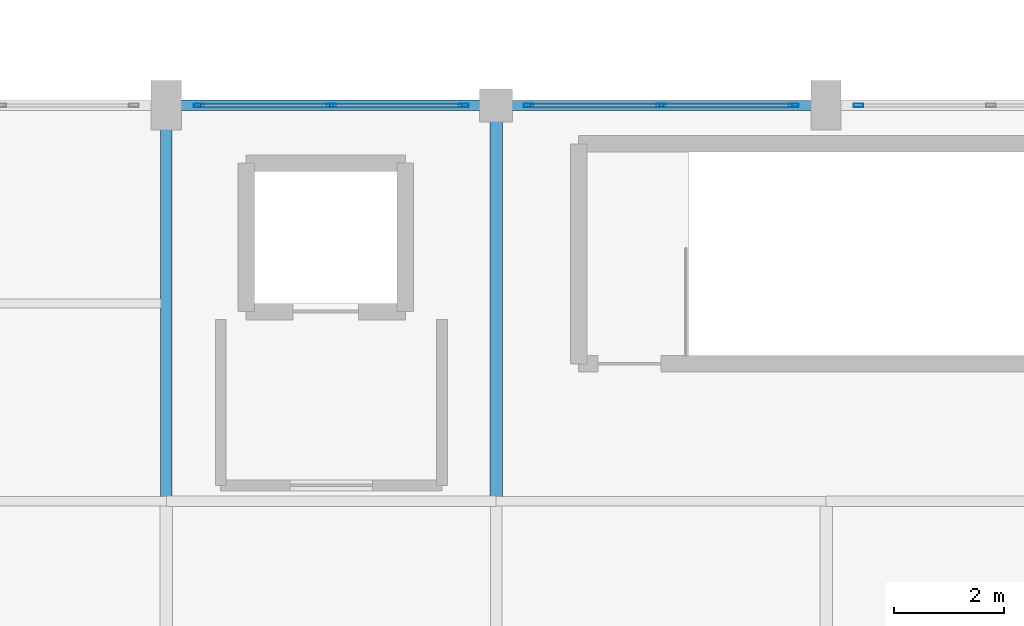
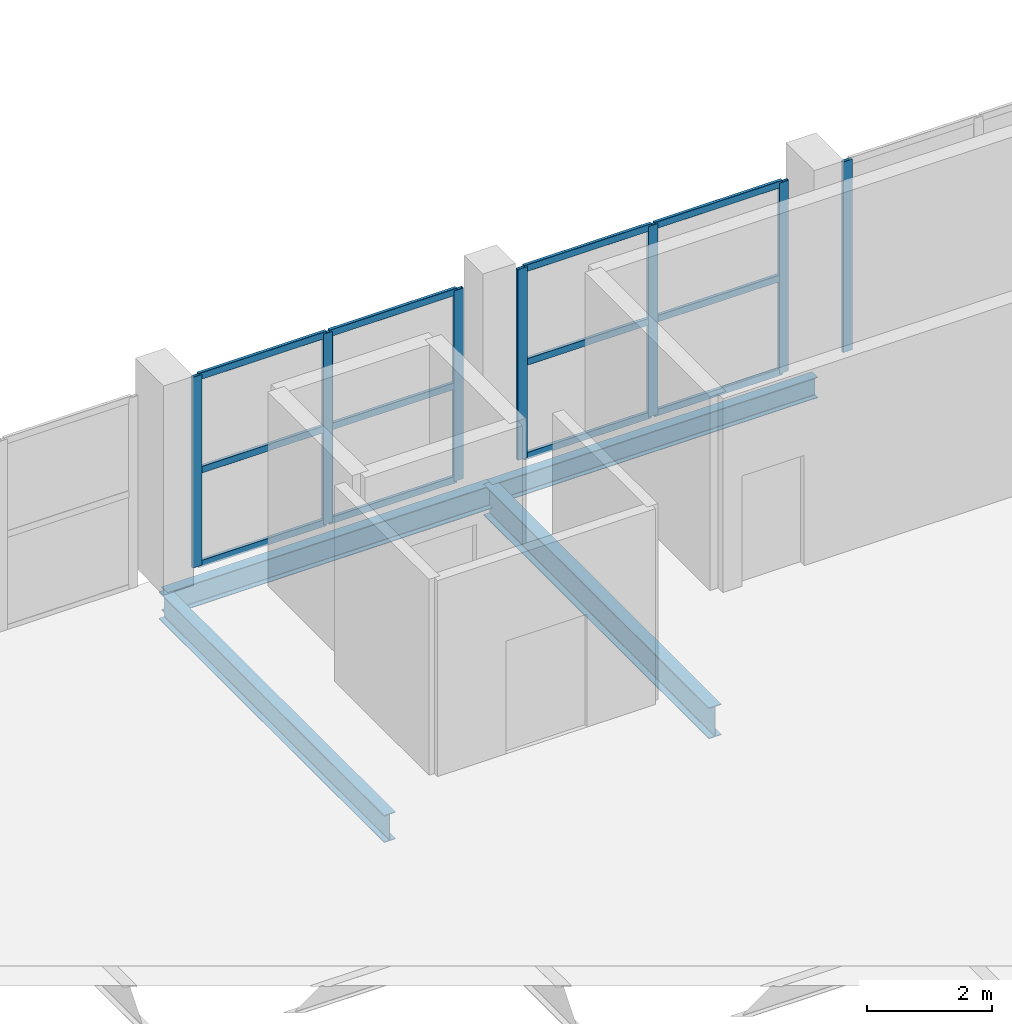
# One storey, part 84 of 127: 19 members, 4 beams, 3 elements without a shape of their own.
"""IFC4 building model written with IfcOpenShell, lengths in metres."""

from ifc_helpers import new_model, si_unit, direction, frame, origin, origin_2d, place, context, subcontext, project, spatial, hollow_rectangle, i_section, extrude, material, layer, layer_set, material_profile, profile_set, type_object, element, aggregate, save


model = new_model("IFC4")

# Units and contexts
model_context = context("Model", 3, precision=1e-05, world=origin(), true_north=direction((0.0, 1.0)))
body_context = subcontext(model_context, "Body", "Model", "MODEL_VIEW")
ifc_project = project(units=[si_unit("LENGTHUNIT", "METRE"), si_unit("AREAUNIT", "SQUARE_METRE"), si_unit("VOLUMEUNIT", "CUBIC_METRE"), si_unit("PLANEANGLEUNIT", "RADIAN"), si_unit("MASSUNIT", "GRAM", prefix="KILO")], contexts=[model_context])

# Site, building, storey
site_placement = place(None, origin())
site = spatial("IfcSite", under=ifc_project, at=site_placement, CompositionType="ELEMENT")
building_placement = place(site_placement, origin())
building = spatial("IfcBuilding", under=site, at=building_placement, Name="Dunvalen Ferry Terminal", CompositionType="ELEMENT")
storey_placement = place(building_placement, frame((0.0, 0.0, 5.760009765625)))
storey = spatial("IfcBuildingStorey", under=building, at=storey_placement, Name="L01", CompositionType="ELEMENT", Elevation=5.760009765625)

# Curtain wall, members
ifc_material_1 = material(Name="Anodised marine aluminium and solar-control glazing", Category="aluminium")
ifc_layer = layer(ifc_material_1, 0.219970703125, Name="Anodised marine aluminium and solar-control glazing")
ifc_layer_set = layer_set([ifc_layer], Name="Anodised marine aluminium and solar-control glazing")
curtain_wall_type = type_object("IfcCurtainWallType", Name="ENV-CW-SYS-02", PredefinedType="NOTDEFINED", material=ifc_layer_set)
curtain_wall_1_placement = place(storey_placement, origin())
curtain_wall_1 = element("IfcCurtainWall", 1, at=curtain_wall_1_placement, inside=storey, type_object=curtain_wall_type, Name="L01 Curtain Wall CW-V2N-L01-07", PredefinedType="NOTDEFINED")
ifc_material_2 = material(Name="Anodised marine aluminium EN AW-6063 T6", Category="aluminium")
ifc_material_profile_1 = material_profile(ifc_material_2, hollow_rectangle(XDim=0.06005859375, YDim=0.179931640625, WallThickness=0.00341796875, InnerFilletRadius=0.00341796875, OuterFilletRadius=0.007080078125, at=origin_2d()), Name="Anodised marine aluminium EN AW-6063 T6")
ifc_profile_set_1 = profile_set([ifc_material_profile_1], Name="Anodised marine aluminium EN AW-6063 T6")
member_type_1 = type_object("IfcMemberType", Name="ENV-CW-MUL-2", PredefinedType="MULLION", material=ifc_profile_set_1)
member_1_placement = place(storey_placement, frame((144.590087890625, 86.39990234375, 0.0), z_axis=(0.0, 0.0, 1.0), x_axis=(0.0, 1.0, 0.0)))
member_1 = element("IfcMember", 2, at=member_1_placement, type_object=member_type_1, Name="CW-02 mullion 1", PredefinedType="MULLION", context=body_context, shape_type="SweptSolid", body=[
    extrude(hollow_rectangle(XDim=0.06005859375, YDim=0.179931640625, WallThickness=0.00341796875, InnerFilletRadius=0.00341796875, OuterFilletRadius=0.007080078125, at=origin_2d()), origin(), (0.0, 0.0, 1.0), 3.719970703125),
])
member_2_placement = place(storey_placement, frame((147.0, 86.39990234375, 0.0), z_axis=(0.0, 0.0, 1.0), x_axis=(0.0, 1.0, 0.0)))
member_2 = element("IfcMember", 3, at=member_2_placement, type_object=member_type_1, Name="CW-02 mullion 2", PredefinedType="MULLION", context=body_context, shape_type="SweptSolid", body=[
    extrude(hollow_rectangle(XDim=0.06005859375, YDim=0.179931640625, WallThickness=0.00341796875, InnerFilletRadius=0.00341796875, OuterFilletRadius=0.007080078125, at=origin_2d()), origin(), (0.0, 0.0, 1.0), 3.719970703125),
])
member_3_placement = place(storey_placement, frame((149.409912109375, 86.39990234375, 0.0), z_axis=(0.0, 0.0, 1.0), x_axis=(0.0, 1.0, 0.0)))
member_3 = element("IfcMember", 4, at=member_3_placement, type_object=member_type_1, Name="CW-02 mullion 3", PredefinedType="MULLION", context=body_context, shape_type="SweptSolid", body=[
    extrude(hollow_rectangle(XDim=0.06005859375, YDim=0.179931640625, WallThickness=0.00341796875, InnerFilletRadius=0.00341796875, OuterFilletRadius=0.007080078125, at=origin_2d()), origin(), (0.0, 0.0, 1.0), 3.719970703125),
])

curtain_wall_2_placement = place(storey_placement, origin())
curtain_wall_2 = element("IfcCurtainWall", 5, at=curtain_wall_2_placement, inside=storey, type_object=curtain_wall_type, Name="L01 Curtain Wall CW-V2N-L01-08", PredefinedType="NOTDEFINED")
member_4_placement = place(storey_placement, frame((150.590087890625, 86.39990234375, 0.0), z_axis=(0.0, 0.0, 1.0), x_axis=(0.0, 1.0, 0.0)))
member_4 = element("IfcMember", 6, at=member_4_placement, type_object=member_type_1, Name="CW-02 mullion 1", PredefinedType="MULLION", context=body_context, shape_type="SweptSolid", body=[
    extrude(hollow_rectangle(XDim=0.06005859375, YDim=0.179931640625, WallThickness=0.00341796875, InnerFilletRadius=0.00341796875, OuterFilletRadius=0.007080078125, at=origin_2d()), origin(), (0.0, 0.0, 1.0), 3.719970703125),
])
member_5_placement = place(storey_placement, frame((153.0, 86.39990234375, 0.0), z_axis=(0.0, 0.0, 1.0), x_axis=(0.0, 1.0, 0.0)))
member_5 = element("IfcMember", 7, at=member_5_placement, type_object=member_type_1, Name="CW-02 mullion 2", PredefinedType="MULLION", context=body_context, shape_type="SweptSolid", body=[
    extrude(hollow_rectangle(XDim=0.06005859375, YDim=0.179931640625, WallThickness=0.00341796875, InnerFilletRadius=0.00341796875, OuterFilletRadius=0.007080078125, at=origin_2d()), origin(), (0.0, 0.0, 1.0), 3.719970703125),
])
member_6_placement = place(storey_placement, frame((155.409912109375, 86.39990234375, 0.0), z_axis=(0.0, 0.0, 1.0), x_axis=(0.0, 1.0, 0.0)))
member_6 = element("IfcMember", 8, at=member_6_placement, type_object=member_type_1, Name="CW-02 mullion 3", PredefinedType="MULLION", context=body_context, shape_type="SweptSolid", body=[
    extrude(hollow_rectangle(XDim=0.06005859375, YDim=0.179931640625, WallThickness=0.00341796875, InnerFilletRadius=0.00341796875, OuterFilletRadius=0.007080078125, at=origin_2d()), origin(), (0.0, 0.0, 1.0), 3.719970703125),
])

# Curtain wall, member
curtain_wall_3_placement = place(storey_placement, origin())
curtain_wall_3 = element("IfcCurtainWall", 9, at=curtain_wall_3_placement, inside=storey, type_object=curtain_wall_type, Name="L01 Curtain Wall CW-V2N-L01-09", PredefinedType="NOTDEFINED")
member_7_placement = place(storey_placement, frame((156.590087890625, 86.39990234375, 0.0), z_axis=(0.0, 0.0, 1.0), x_axis=(0.0, 1.0, 0.0)))
member_7 = element("IfcMember", 10, at=member_7_placement, type_object=member_type_1, Name="CW-02 mullion 1", PredefinedType="MULLION", context=body_context, shape_type="SweptSolid", body=[
    extrude(hollow_rectangle(XDim=0.06005859375, YDim=0.179931640625, WallThickness=0.00341796875, InnerFilletRadius=0.00341796875, OuterFilletRadius=0.007080078125, at=origin_2d()), origin(), (0.0, 0.0, 1.0), 3.719970703125),
])
aggregate(curtain_wall_3, [member_7])

# Member
ifc_material_profile_2 = material_profile(ifc_material_2, hollow_rectangle(XDim=0.06005859375, YDim=0.135009765625, WallThickness=0.003173828125, InnerFilletRadius=0.003173828125, OuterFilletRadius=0.00634765625, at=origin_2d()), Name="Anodised marine aluminium EN AW-6063 T6")
ifc_profile_set_2 = profile_set([ifc_material_profile_2], Name="Anodised marine aluminium EN AW-6063 T6")
member_type_2 = type_object("IfcMemberType", Name="ENV-CW-TRN-2", PredefinedType="USERDEFINED", material=ifc_profile_set_2)
member_8_placement = place(storey_placement, frame((144.6201171875, 86.39990234375, 0.030029296875), z_axis=(1.0, 0.0, 0.0), x_axis=(0.0, 1.0, 0.0)))
member_8 = element("IfcMember", 11, at=member_8_placement, type_object=member_type_2, Name="CW-02 transom 1.1", ObjectType="TRANSOM", PredefinedType="USERDEFINED", context=body_context, shape_type="SweptSolid", body=[
    extrude(hollow_rectangle(XDim=0.06005859375, YDim=0.135009765625, WallThickness=0.003173828125, InnerFilletRadius=0.003173828125, OuterFilletRadius=0.00634765625, at=origin_2d()), origin(), (0.0, 0.0, 1.0), 2.349853515625),
])

member_9_placement = place(storey_placement, frame((144.6201171875, 86.39990234375, 1.860107421875), z_axis=(1.0, 0.0, 0.0), x_axis=(0.0, 1.0, 0.0)))
member_9 = element("IfcMember", 12, at=member_9_placement, type_object=member_type_2, Name="CW-02 transom 1.2", ObjectType="TRANSOM", PredefinedType="USERDEFINED", context=body_context, shape_type="SweptSolid", body=[
    extrude(hollow_rectangle(XDim=0.06005859375, YDim=0.135009765625, WallThickness=0.003173828125, InnerFilletRadius=0.003173828125, OuterFilletRadius=0.00634765625, at=origin_2d()), origin(), (0.0, 0.0, 1.0), 2.349853515625),
])

member_10_placement = place(storey_placement, frame((144.6201171875, 86.39990234375, 3.68994140625), z_axis=(1.0, 0.0, 0.0), x_axis=(0.0, 1.0, 0.0)))
member_10 = element("IfcMember", 13, at=member_10_placement, type_object=member_type_2, Name="CW-02 transom 1.3", ObjectType="TRANSOM", PredefinedType="USERDEFINED", context=body_context, shape_type="SweptSolid", body=[
    extrude(hollow_rectangle(XDim=0.06005859375, YDim=0.135009765625, WallThickness=0.003173828125, InnerFilletRadius=0.003173828125, OuterFilletRadius=0.00634765625, at=origin_2d()), origin(), (0.0, 0.0, 1.0), 2.349853515625),
])

member_11_placement = place(storey_placement, frame((147.030029296875, 86.39990234375, 0.030029296875), z_axis=(1.0, 0.0, 0.0), x_axis=(0.0, 1.0, 0.0)))
member_11 = element("IfcMember", 14, at=member_11_placement, type_object=member_type_2, Name="CW-02 transom 2.1", ObjectType="TRANSOM", PredefinedType="USERDEFINED", context=body_context, shape_type="SweptSolid", body=[
    extrude(hollow_rectangle(XDim=0.06005859375, YDim=0.135009765625, WallThickness=0.003173828125, InnerFilletRadius=0.003173828125, OuterFilletRadius=0.00634765625, at=origin_2d()), origin(), (0.0, 0.0, 1.0), 2.349853515625),
])

member_12_placement = place(storey_placement, frame((147.030029296875, 86.39990234375, 1.860107421875), z_axis=(1.0, 0.0, 0.0), x_axis=(0.0, 1.0, 0.0)))
member_12 = element("IfcMember", 15, at=member_12_placement, type_object=member_type_2, Name="CW-02 transom 2.2", ObjectType="TRANSOM", PredefinedType="USERDEFINED", context=body_context, shape_type="SweptSolid", body=[
    extrude(hollow_rectangle(XDim=0.06005859375, YDim=0.135009765625, WallThickness=0.003173828125, InnerFilletRadius=0.003173828125, OuterFilletRadius=0.00634765625, at=origin_2d()), origin(), (0.0, 0.0, 1.0), 2.349853515625),
])

member_13_placement = place(storey_placement, frame((147.030029296875, 86.39990234375, 3.68994140625), z_axis=(1.0, 0.0, 0.0), x_axis=(0.0, 1.0, 0.0)))
member_13 = element("IfcMember", 16, at=member_13_placement, type_object=member_type_2, Name="CW-02 transom 2.3", ObjectType="TRANSOM", PredefinedType="USERDEFINED", context=body_context, shape_type="SweptSolid", body=[
    extrude(hollow_rectangle(XDim=0.06005859375, YDim=0.135009765625, WallThickness=0.003173828125, InnerFilletRadius=0.003173828125, OuterFilletRadius=0.00634765625, at=origin_2d()), origin(), (0.0, 0.0, 1.0), 2.349853515625),
])

aggregate(curtain_wall_1, [member_1, member_2, member_3, member_8, member_9, member_10, member_11, member_12, member_13])

member_14_placement = place(storey_placement, frame((150.6201171875, 86.39990234375, 0.030029296875), z_axis=(1.0, 0.0, 0.0), x_axis=(0.0, 1.0, 0.0)))
member_14 = element("IfcMember", 17, at=member_14_placement, type_object=member_type_2, Name="CW-02 transom 1.1", ObjectType="TRANSOM", PredefinedType="USERDEFINED", context=body_context, shape_type="SweptSolid", body=[
    extrude(hollow_rectangle(XDim=0.06005859375, YDim=0.135009765625, WallThickness=0.003173828125, InnerFilletRadius=0.003173828125, OuterFilletRadius=0.00634765625, at=origin_2d()), origin(), (0.0, 0.0, 1.0), 2.349853515625),
])

member_15_placement = place(storey_placement, frame((150.6201171875, 86.39990234375, 1.860107421875), z_axis=(1.0, 0.0, 0.0), x_axis=(0.0, 1.0, 0.0)))
member_15 = element("IfcMember", 18, at=member_15_placement, type_object=member_type_2, Name="CW-02 transom 1.2", ObjectType="TRANSOM", PredefinedType="USERDEFINED", context=body_context, shape_type="SweptSolid", body=[
    extrude(hollow_rectangle(XDim=0.06005859375, YDim=0.135009765625, WallThickness=0.003173828125, InnerFilletRadius=0.003173828125, OuterFilletRadius=0.00634765625, at=origin_2d()), origin(), (0.0, 0.0, 1.0), 2.349853515625),
])

member_16_placement = place(storey_placement, frame((150.6201171875, 86.39990234375, 3.68994140625), z_axis=(1.0, 0.0, 0.0), x_axis=(0.0, 1.0, 0.0)))
member_16 = element("IfcMember", 19, at=member_16_placement, type_object=member_type_2, Name="CW-02 transom 1.3", ObjectType="TRANSOM", PredefinedType="USERDEFINED", context=body_context, shape_type="SweptSolid", body=[
    extrude(hollow_rectangle(XDim=0.06005859375, YDim=0.135009765625, WallThickness=0.003173828125, InnerFilletRadius=0.003173828125, OuterFilletRadius=0.00634765625, at=origin_2d()), origin(), (0.0, 0.0, 1.0), 2.349853515625),
])

member_17_placement = place(storey_placement, frame((153.030029296875, 86.39990234375, 0.030029296875), z_axis=(1.0, 0.0, 0.0), x_axis=(0.0, 1.0, 0.0)))
member_17 = element("IfcMember", 20, at=member_17_placement, type_object=member_type_2, Name="CW-02 transom 2.1", ObjectType="TRANSOM", PredefinedType="USERDEFINED", context=body_context, shape_type="SweptSolid", body=[
    extrude(hollow_rectangle(XDim=0.06005859375, YDim=0.135009765625, WallThickness=0.003173828125, InnerFilletRadius=0.003173828125, OuterFilletRadius=0.00634765625, at=origin_2d()), origin(), (0.0, 0.0, 1.0), 2.349853515625),
])

member_18_placement = place(storey_placement, frame((153.030029296875, 86.39990234375, 1.860107421875), z_axis=(1.0, 0.0, 0.0), x_axis=(0.0, 1.0, 0.0)))
member_18 = element("IfcMember", 21, at=member_18_placement, type_object=member_type_2, Name="CW-02 transom 2.2", ObjectType="TRANSOM", PredefinedType="USERDEFINED", context=body_context, shape_type="SweptSolid", body=[
    extrude(hollow_rectangle(XDim=0.06005859375, YDim=0.135009765625, WallThickness=0.003173828125, InnerFilletRadius=0.003173828125, OuterFilletRadius=0.00634765625, at=origin_2d()), origin(), (0.0, 0.0, 1.0), 2.349853515625),
])

member_19_placement = place(storey_placement, frame((153.030029296875, 86.39990234375, 3.68994140625), z_axis=(1.0, 0.0, 0.0), x_axis=(0.0, 1.0, 0.0)))
member_19 = element("IfcMember", 22, at=member_19_placement, type_object=member_type_2, Name="CW-02 transom 2.3", ObjectType="TRANSOM", PredefinedType="USERDEFINED", context=body_context, shape_type="SweptSolid", body=[
    extrude(hollow_rectangle(XDim=0.06005859375, YDim=0.135009765625, WallThickness=0.003173828125, InnerFilletRadius=0.003173828125, OuterFilletRadius=0.00634765625, at=origin_2d()), origin(), (0.0, 0.0, 1.0), 2.349853515625),
])

aggregate(curtain_wall_2, [member_4, member_5, member_6, member_14, member_15, member_16, member_17, member_18, member_19])

# Beams
ifc_material_3 = material(Name="Steel S355", Category="steel")
ifc_material_profile_3 = material_profile(ifc_material_3, i_section(OverallWidth=0.177978515625, OverallDepth=0.406494140625, WebThickness=0.0078125, FlangeThickness=0.0126953125, FilletRadius=0.01025390625, at=origin_2d()), Name="Steel S355")
ifc_profile_set_3 = profile_set([ifc_material_profile_3], Name="Steel S355")
beam_type_1 = type_object("IfcBeamType", Name="STR-BM-UKB406", PredefinedType="JOIST", material=ifc_profile_set_3)
beam_1_placement = place(storey_placement, frame((150.0, 86.39990234375, -0.463134765625), z_axis=(1.0, 0.0, 0.0), x_axis=(0.0, 1.0, 0.0)))
element("IfcBeam", 23, at=beam_1_placement, inside=storey, type_object=beam_type_1, Name="L01 V2M Primary Beam X-041", PredefinedType="JOIST", context=body_context, shape_type="SweptSolid", body=[
    extrude(i_section(OverallWidth=0.177978515625, OverallDepth=0.406494140625, WebThickness=0.0078125, FlangeThickness=0.0126953125, FilletRadius=0.01025390625, at=origin_2d()), origin(), (0.0, 0.0, 1.0), 6.0),
])
ifc_material_profile_4 = material_profile(ifc_material_3, i_section(OverallWidth=0.1904296875, OverallDepth=0.45703125, WebThickness=0.009033203125, FlangeThickness=0.014404296875, FilletRadius=0.01025390625, at=origin_2d()), Name="Steel S355")
ifc_profile_set_4 = profile_set([ifc_material_profile_4], Name="Steel S355")
beam_type_2 = type_object("IfcBeamType", Name="STR-BM-UKB457", PredefinedType="BEAM", material=ifc_profile_set_4)
beam_2_placement = place(storey_placement, frame((144.0, 86.39990234375, -0.488525390625), z_axis=(1.0, 0.0, 0.0), x_axis=(0.0, 1.0, 0.0)))
element("IfcBeam", 24, at=beam_2_placement, inside=storey, type_object=beam_type_2, Name="L01 V2M Primary Beam X-040", PredefinedType="BEAM", context=body_context, shape_type="SweptSolid", body=[
    extrude(i_section(OverallWidth=0.1904296875, OverallDepth=0.45703125, WebThickness=0.009033203125, FlangeThickness=0.014404296875, FilletRadius=0.01025390625, at=origin_2d()), origin(), (0.0, 0.0, 1.0), 6.0),
])
ifc_material_profile_5 = material_profile(ifc_material_3, i_section(OverallWidth=0.209228515625, OverallDepth=0.533203125, WebThickness=0.010009765625, FlangeThickness=0.015625, FilletRadius=0.0126953125, at=origin_2d()), Name="Steel S355")
ifc_profile_set_5 = profile_set([ifc_material_profile_5], Name="Steel S355")
beam_type_3 = type_object("IfcBeamType", Name="STR-BM-UKB533", PredefinedType="BEAM", material=ifc_profile_set_5)
beam_3_placement = place(storey_placement, frame((144.0, 79.199951171875, -0.526611328125), z_axis=(0.0, 1.0, 0.0), x_axis=(-1.0, 0.0, 0.0)))
element("IfcBeam", 25, at=beam_3_placement, inside=storey, type_object=beam_type_3, Name="L01 V2M Primary Girder Y-060", PredefinedType="BEAM", context=body_context, shape_type="SweptSolid", body=[
    extrude(i_section(OverallWidth=0.209228515625, OverallDepth=0.533203125, WebThickness=0.010009765625, FlangeThickness=0.015625, FilletRadius=0.0126953125, at=origin_2d()), origin(), (0.0, 0.0, 1.0), 7.199951171875),
])
ifc_material_profile_6 = material_profile(ifc_material_3, i_section(OverallWidth=0.228271484375, OverallDepth=0.607666015625, WebThickness=0.010986328125, FlangeThickness=0.017333984375, FilletRadius=0.0126953125, at=origin_2d()), Name="Steel S355")
ifc_profile_set_6 = profile_set([ifc_material_profile_6], Name="Steel S355")
beam_type_4 = type_object("IfcBeamType", Name="STR-BM-UKB610", PredefinedType="BEAM", material=ifc_profile_set_6)
beam_4_placement = place(storey_placement, frame((150.0, 79.199951171875, -0.563720703125), z_axis=(0.0, 1.0, 0.0), x_axis=(-1.0, 0.0, 0.0)))
element("IfcBeam", 26, at=beam_4_placement, inside=storey, type_object=beam_type_4, Name="L01 V2M Primary Girder Y-065", PredefinedType="BEAM", context=body_context, shape_type="SweptSolid", body=[
    extrude(i_section(OverallWidth=0.228271484375, OverallDepth=0.607666015625, WebThickness=0.010986328125, FlangeThickness=0.017333984375, FilletRadius=0.0126953125, at=origin_2d()), origin(), (0.0, 0.0, 1.0), 7.199951171875),
])

save(model, "model.ifc")
